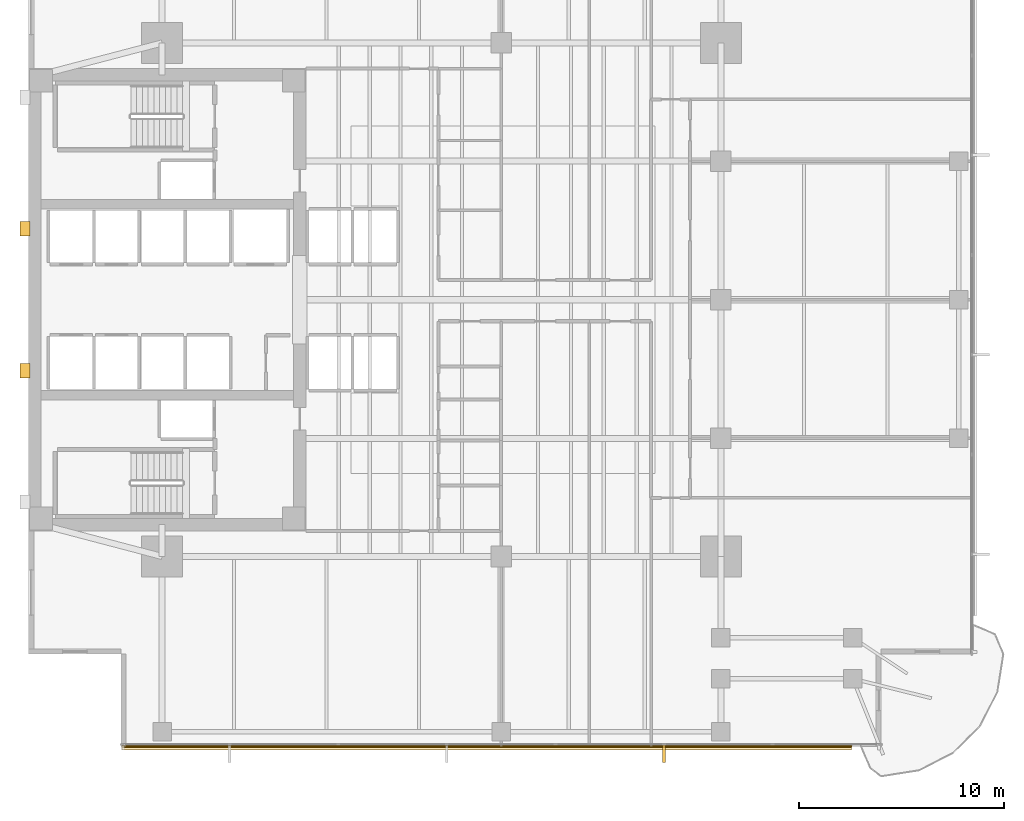
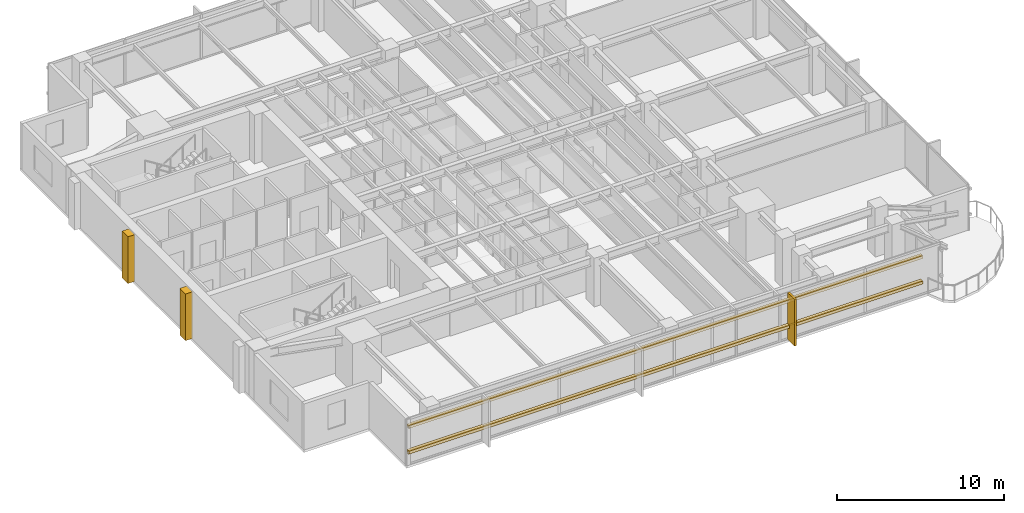
# One storey, part 12 of 14: 5 coverings, 2 shading devices.
"""IFC4 building model written with IfcOpenShell, lengths in metres."""

from ifc_helpers import new_model, si_unit, direction, frame, origin, origin_2d, place, context, subcontext, project, spatial, polyline, rectangle, outline, extrude, material, layer, layer_set, material_profile, profile_set, type_object, element, save


model = new_model("IFC4")

# Units and contexts
model_context = context("Model", 3, precision=1e-05, world=origin(), true_north=direction((0.0, 1.0)))
body_context = subcontext(model_context, "Body", "Model", "MODEL_VIEW")
ifc_project = project(units=[si_unit("LENGTHUNIT", "METRE"), si_unit("AREAUNIT", "SQUARE_METRE"), si_unit("VOLUMEUNIT", "CUBIC_METRE"), si_unit("PLANEANGLEUNIT", "RADIAN"), si_unit("MASSUNIT", "GRAM", prefix="KILO")], contexts=[model_context])

# Site, building, storey
site_placement = place(None, origin())
site = spatial("IfcSite", under=ifc_project, at=site_placement, CompositionType="ELEMENT")
building_placement = place(site_placement, origin())
building = spatial("IfcBuilding", under=site, at=building_placement, Name="Kinhvarn Gate Tower", CompositionType="ELEMENT")
storey_placement = place(building_placement, frame((0.0, 0.0, 102.25)))
storey = spatial("IfcBuildingStorey", under=building, at=storey_placement, Name="L26", CompositionType="ELEMENT", Elevation=102.25)

# Coverings
ifc_material_1 = material(Name="Fired architectural terracotta", Category="masonry")
ifc_layer_1 = layer(ifc_material_1, 0.239990234375)
ifc_layer_set_1 = layer_set([ifc_layer_1], Name="Fired architectural terracotta")
covering_type_1 = type_object("IfcCoveringType", Name="COV-BAG-220", PredefinedType="CLADDING", material=ifc_layer_set_1)
for number, where, name in (
    (1, (0.0, 0.0, 0.93994140625), "Terracotta Horizontal Sunscreen Band TBG-220 (L26)"),
    (2, (0.0, 0.0, 2.81005859375), "Terracotta Horizontal Sunscreen Band TBG-220 (L26)"),
):
    element("IfcCovering", number, at=place(storey_placement, frame(where)), inside=storey, type_object=covering_type_1, Name=name, PredefinedType="CLADDING", context=body_context, shape_type="SweptSolid", body=[
        extrude(outline(polyline([(9.0400390625, 3.570068359375), (44.56201171875, 3.570068359375), (44.56201171875, 3.330078125), (9.0400390625, 3.330078125), (9.0400390625, 3.570068359375)])), origin(), (0.0, 0.0, 1.0), 0.219970703125),
    ])
ifc_layer_2 = layer(ifc_material_1, 0.139892578125)
ifc_layer_set_2 = layer_set([ifc_layer_2], Name="Fired architectural terracotta")
covering_type_2 = type_object("IfcCoveringType", Name="COV-FIN-850", PredefinedType="CLADDING", material=ifc_layer_set_2)
covering_1_placement = place(storey_placement, frame((0.0, 0.0, -0.02001953125)))
element("IfcCovering", 3, at=covering_1_placement, inside=storey, type_object=covering_type_2, Name="Vertical Terracotta Expressive Fin TFN-850 (L26)", PredefinedType="CLADDING", context=body_context, shape_type="SweptSolid", body=[
    extrude(outline(polyline([(35.358642578125, 3.580078125), (35.49853515625, 3.580078125), (35.49853515625, 2.72998046875), (35.358642578125, 2.72998046875), (35.358642578125, 3.580078125)])), origin(), (0.0, 0.0, 1.0), 3.409912109375),
])
ifc_material_2 = material(Name="Precast white architectural concrete C40/50", Category="concrete")
ifc_layer_3 = layer(ifc_material_2, 0.47998046875)
ifc_layer_set_3 = layer_set([ifc_layer_3], Name="Precast white architectural concrete C40/50")
covering_type_3 = type_object("IfcCoveringType", Name="COV-RIB-450", PredefinedType="CLADDING", material=ifc_layer_set_3)
covering_2_placement = place(storey_placement, frame((0.0, 0.0, -0.02001953125)))
element("IfcCovering", 4, at=covering_2_placement, inside=storey, type_object=covering_type_3, Name="West Core Sculptural Concrete Relief Rib CRB-450 (L26)", PredefinedType="CLADDING", context=body_context, shape_type="SweptSolid", body=[
    extrude(outline(polyline([(4.080078125, 21.449951171875), (4.56005859375, 21.449951171875), (4.56005859375, 22.14990234375), (4.080078125, 22.14990234375), (4.080078125, 21.449951171875)])), origin(), (0.0, 0.0, 1.0), 3.409912109375),
])
covering_3_placement = place(storey_placement, frame((0.0, 0.0, -0.02001953125)))
element("IfcCovering", 5, at=covering_3_placement, inside=storey, type_object=covering_type_3, Name="West Core Sculptural Concrete Relief Rib CRB-450 (L26)", PredefinedType="CLADDING", context=body_context, shape_type="SweptSolid", body=[
    extrude(outline(polyline([(4.080078125, 28.35009765625), (4.56005859375, 28.35009765625), (4.56005859375, 29.050048828125), (4.080078125, 29.050048828125), (4.080078125, 28.35009765625)])), origin(), (0.0, 0.0, 1.0), 3.409912109375),
])

# Shading devices
ifc_material_profile = material_profile(ifc_material_1, rectangle(XDim=0.050048828125, YDim=0.1201171875, at=origin_2d()), Name="TC 50x120")
ifc_profile_set = profile_set([ifc_material_profile], Name="Fired architectural terracotta")
shading_device_type = type_object("IfcShadingDeviceType", Name="SHD-BAG-140", PredefinedType="USERDEFINED", material=ifc_profile_set)
for number, where, z_axis, x_axis, name in (
    (6, (9.0400390625, 3.5, 1.050048828125), (1.0, 0.0, 0.0), (0.0, 1.0, 0.0), "Upper Tower Terracotta Baguette Screen Rod 50x120 mm (L26)"),
    (7, (9.0400390625, 3.5, 2.919921875), (1.0, 0.0, 0.0), (0.0, 1.0, 0.0), "Upper Tower Terracotta Baguette Screen Rod 50x120 mm (L26)"),
):
    element("IfcShadingDevice", number, at=place(storey_placement, frame(where, z_axis=z_axis, x_axis=x_axis)), inside=storey, type_object=shading_device_type, Name=name, ObjectType="BAGUETTE", PredefinedType="USERDEFINED", context=body_context, shape_type="SweptSolid", body=[
        extrude(rectangle(XDim=0.050048828125, YDim=0.1201171875, at=origin_2d()), origin(), (0.0, 0.0, 1.0), 35.52197265625),
    ])

save(model, "model.ifc")
